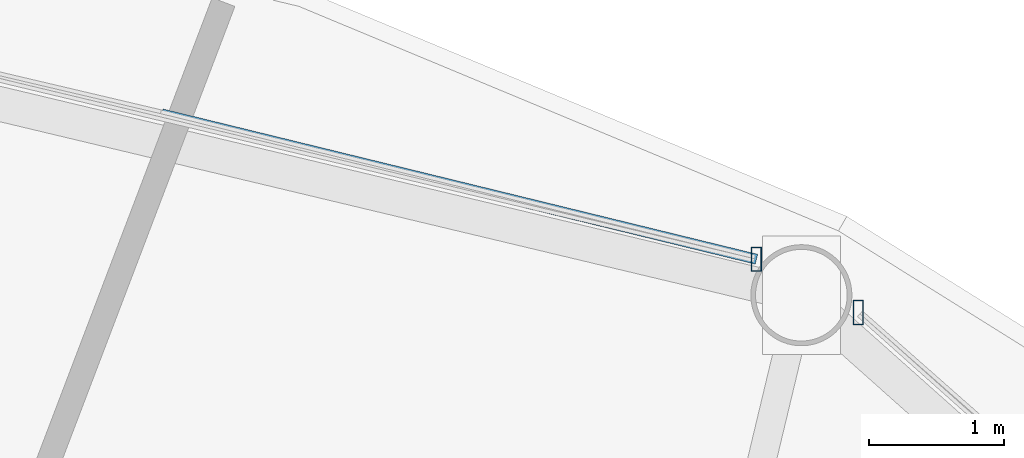
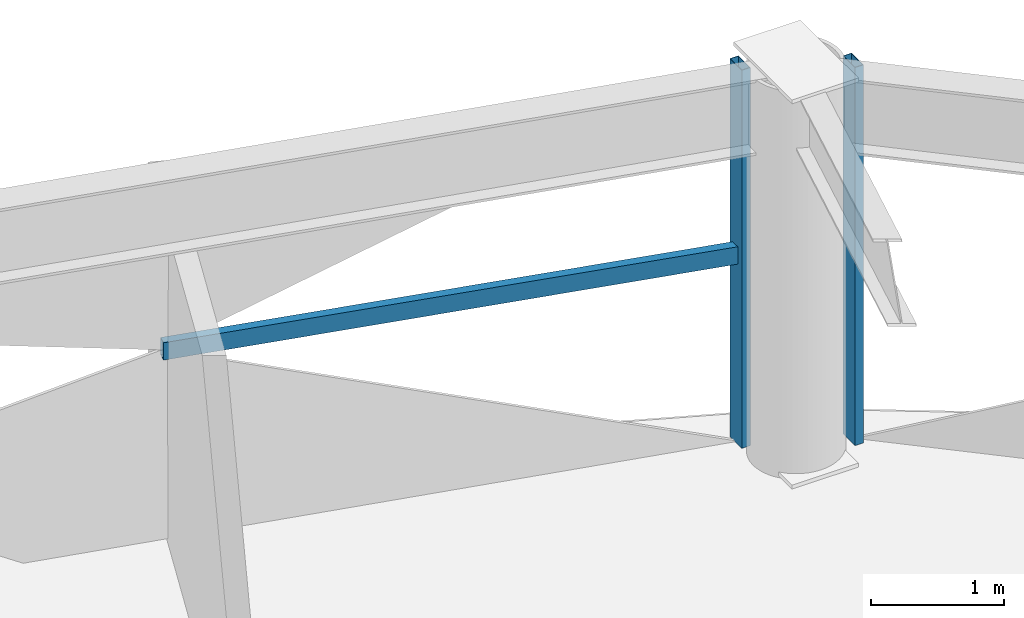
# One storey, part 20 of 30: 3 members, 2 elements without a shape of their own.
"""IFC4 building model written with IfcOpenShell, lengths in metres."""

from ifc_helpers import new_model, si_unit, direction, frame, origin, origin_2d, place, context, subcontext, project, spatial, hollow_rectangle, extrude, material, layer, layer_set, material_profile, profile_set, type_object, element, aggregate, save


model = new_model("IFC4")

# Units and contexts
model_context = context("Model", 3, precision=1e-05, world=origin(), true_north=direction((0.0, 1.0)))
body_context = subcontext(model_context, "Body", "Model", "MODEL_VIEW")
ifc_project = project(units=[si_unit("LENGTHUNIT", "METRE"), si_unit("AREAUNIT", "SQUARE_METRE"), si_unit("VOLUMEUNIT", "CUBIC_METRE"), si_unit("PLANEANGLEUNIT", "RADIAN"), si_unit("MASSUNIT", "GRAM", prefix="KILO")], contexts=[model_context])

# Site, building, storey
site_placement = place(None, origin())
site = spatial("IfcSite", under=ifc_project, at=site_placement, CompositionType="ELEMENT")
building_placement = place(site_placement, origin())
building = spatial("IfcBuilding", under=site, at=building_placement, Name="Vantalir Tower", CompositionType="ELEMENT")
storey_placement = place(building_placement, frame((0.0, 0.0, 153.449951171875)))
storey = spatial("IfcBuildingStorey", under=building, at=storey_placement, Name="L38", CompositionType="ELEMENT", Elevation=153.449951171875)

# Curtain wall, member
ifc_material_1 = material(Name="Champagne-silver PVDF aluminium and double-silver Low-E glass", Category="aluminium")
ifc_layer = layer(ifc_material_1, 0.199951171875)
ifc_layer_set = layer_set([ifc_layer], Name="Champagne-silver PVDF aluminium and double-silver Low-E glass")
curtain_wall_type = type_object("IfcCurtainWallType", Name="CW-DIAMOND-Z2", PredefinedType="USERDEFINED", material=ifc_layer_set)
curtain_wall_1_placement = place(storey_placement, origin())
curtain_wall_1 = element("IfcCurtainWall", 1, at=curtain_wall_1_placement, inside=storey, type_object=curtain_wall_type, Name="L38 Quilted Pyramid-Diamond Curtain Wall S02", ObjectType="UNITISED CURTAIN WALL", PredefinedType="USERDEFINED")
ifc_material_2 = material(Name="Champagne-silver PVDF aluminium 6063-T6", Category="aluminium")
ifc_material_profile_1 = material_profile(ifc_material_2, hollow_rectangle(XDim=0.074951171875, YDim=0.179931640625, WallThickness=0.00390625, at=origin_2d()), Name="Champagne-silver PVDF aluminium 6063-T6")
ifc_profile_set_1 = profile_set([ifc_material_profile_1], Name="Champagne-silver PVDF aluminium 6063-T6")
member_type_1 = type_object("IfcMemberType", Name="CWM-180x75", PredefinedType="MULLION", material=ifc_profile_set_1)
member_1_placement = place(storey_placement, frame((44.31494140625, 43.98388671875, 0.045166015625), z_axis=(0.0, 0.0, 1.0), x_axis=(1.0, 0.0, 0.0)))
member_1 = element("IfcMember", 2, at=member_1_placement, type_object=member_type_1, Name="CW-L38-S02 Mullion 2", PredefinedType="MULLION", context=body_context, shape_type="SweptSolid", body=[
    extrude(hollow_rectangle(XDim=0.074951171875, YDim=0.179931640625, WallThickness=0.00390625, at=origin_2d()), origin(), (0.0, 0.0, 1.0), 3.47998046875),
])
aggregate(curtain_wall_1, [member_1])

# Curtain wall, members
curtain_wall_2_placement = place(storey_placement, origin())
curtain_wall_2 = element("IfcCurtainWall", 3, at=curtain_wall_2_placement, inside=storey, type_object=curtain_wall_type, Name="L38 Quilted Pyramid-Diamond Curtain Wall S03", ObjectType="UNITISED CURTAIN WALL", PredefinedType="USERDEFINED")
member_2_placement = place(storey_placement, frame((43.55908203125, 44.37890625, 0.045166015625), z_axis=(0.0, 0.0, 1.0), x_axis=(1.0, 0.0, 0.0)))
member_2 = element("IfcMember", 4, at=member_2_placement, type_object=member_type_1, Name="CW-L38-S03 Mullion 1", PredefinedType="MULLION", context=body_context, shape_type="SweptSolid", body=[
    extrude(hollow_rectangle(XDim=0.074951171875, YDim=0.179931640625, WallThickness=0.00390625, at=origin_2d()), origin(), (0.0, 0.0, 1.0), 3.47998046875),
])
ifc_material_profile_2 = material_profile(ifc_material_2, hollow_rectangle(XDim=0.074951171875, YDim=0.159912109375, WallThickness=0.00390625, at=origin_2d()), Name="Champagne-silver PVDF aluminium 6063-T6")
ifc_profile_set_2 = profile_set([ifc_material_profile_2], Name="Champagne-silver PVDF aluminium 6063-T6")
member_type_2 = type_object("IfcMemberType", Name="CWT-160x75", PredefinedType="USERDEFINED", material=ifc_profile_set_2)
member_3_placement = place(storey_placement, frame((43.55908203125, 44.37890625, 1.78515625), z_axis=(-0.971406722336, 0.237421523458, 0.0), x_axis=(-0.237421523458, -0.971406722336, 0.0)))
member_3 = element("IfcMember", 5, at=member_3_placement, type_object=member_type_2, Name="CW-L38-S03 Pyramid Fold Ridge Transom", ObjectType="TRANSOM", PredefinedType="USERDEFINED", context=body_context, shape_type="SweptSolid", body=[
    extrude(hollow_rectangle(XDim=0.074951171875, YDim=0.159912109375, WallThickness=0.00390625, at=origin_2d()), origin(), (0.0, 0.0, 1.0), 4.541015625),
])
aggregate(curtain_wall_2, [member_2, member_3])

save(model, "model.ifc")
